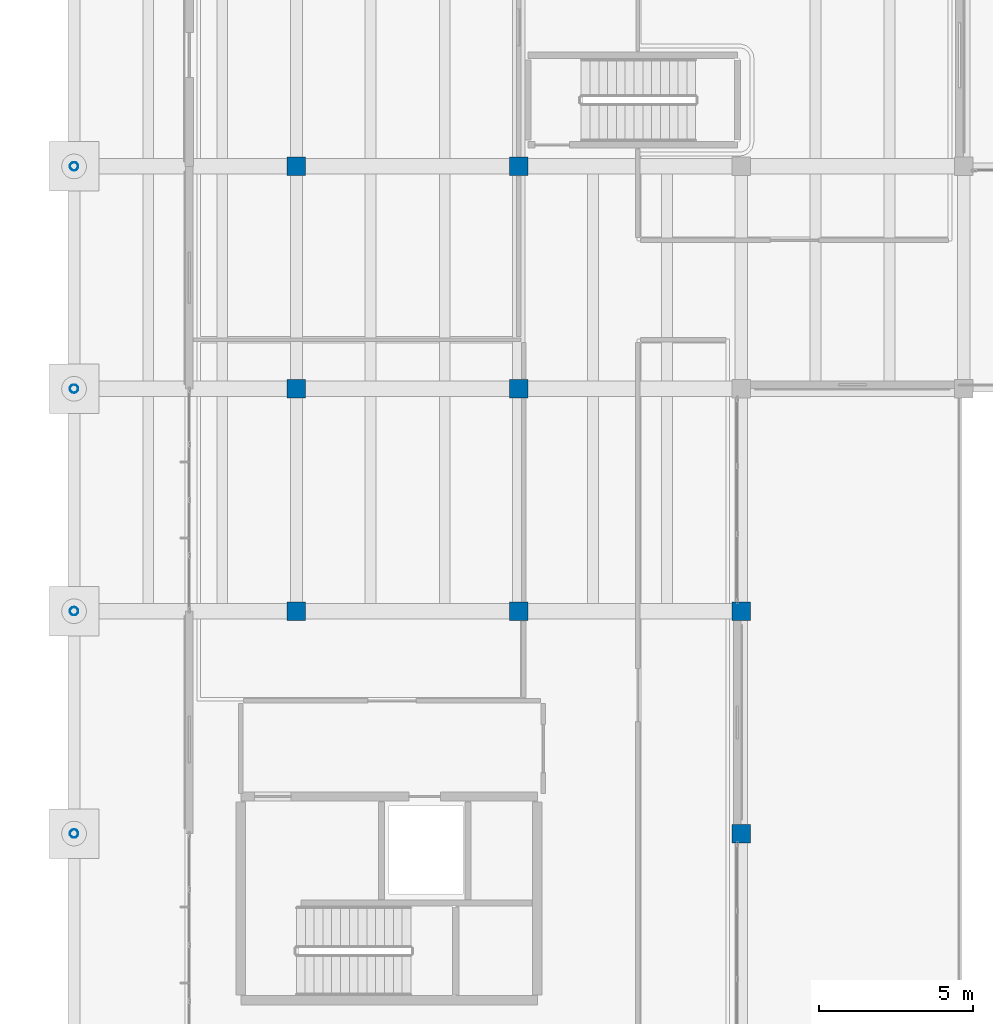
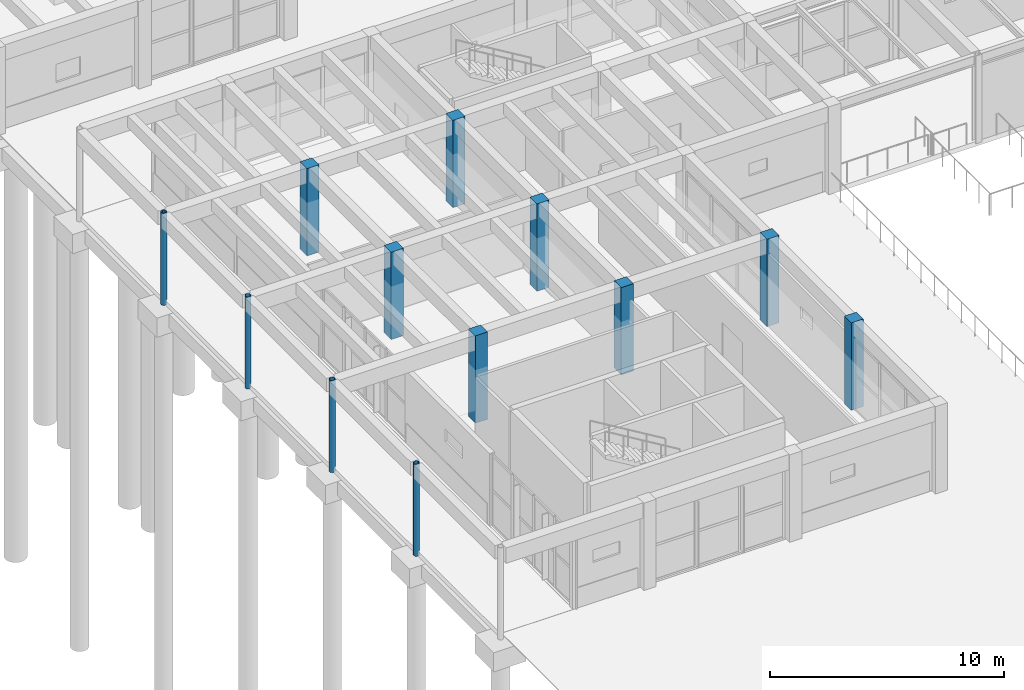
# One storey, part 7 of 155: 12 columns.
"""IFC4 building model written with IfcOpenShell, lengths in metres."""

from ifc_helpers import new_model, si_unit, direction, frame, origin, origin_2d, place, context, subcontext, project, spatial, rectangle, hollow_circle, extrude, material, material_profile, profile_set, type_object, element, save


model = new_model("IFC4")

# Units and contexts
model_context = context("Model", 3, precision=1e-05, world=origin(), true_north=direction((0.0, 1.0)))
body_context = subcontext(model_context, "Body", "Model", "MODEL_VIEW")
ifc_project = project(units=[si_unit("LENGTHUNIT", "METRE"), si_unit("AREAUNIT", "SQUARE_METRE"), si_unit("VOLUMEUNIT", "CUBIC_METRE"), si_unit("PLANEANGLEUNIT", "RADIAN"), si_unit("MASSUNIT", "GRAM", prefix="KILO")], contexts=[model_context])

# Site, building, storey
site_placement = place(None, origin())
site = spatial("IfcSite", under=ifc_project, at=site_placement, CompositionType="ELEMENT")
building_placement = place(site_placement, origin())
building = spatial("IfcBuilding", under=site, at=building_placement, Name="Bramvelor Terrace Health Centre", CompositionType="ELEMENT")
storey_placement = place(building_placement, origin())
storey = spatial("IfcBuildingStorey", under=building, at=storey_placement, Name="L01", CompositionType="ELEMENT", Elevation=0.0)

# Columns
ifc_material_1 = material(Name="Concrete C40/50", Category="concrete")
ifc_material_profile_1 = material_profile(ifc_material_1, rectangle(XDim=0.60009765625, YDim=0.60009765625, at=origin_2d()), Name="RC 600x600")
ifc_profile_set_1 = profile_set([ifc_material_profile_1], Name="Concrete C40/50")
column_type_1 = type_object("IfcColumnType", Name="COL-RC-600", PredefinedType="COLUMN", material=ifc_profile_set_1)
for number, where, z_axis, x_axis, name in (
    (1, (7.199951171875, 43.199951171875, 0.0), (0.0, 0.0, 1.0), (1.0, 0.0, 0.0), "L01 Column (7.2, 43.2)"),
    (2, (7.199951171875, 50.39990234375, 0.0), (0.0, 0.0, 1.0), (1.0, 0.0, 0.0), "L01 Column (7.2, 50.4)"),
    (3, (7.199951171875, 57.60009765625, 0.0), (0.0, 0.0, 1.0), (1.0, 0.0, 0.0), "L01 Column (7.2, 57.6)"),
    (4, (14.39990234375, 43.199951171875, 0.0), (0.0, 0.0, 1.0), (1.0, 0.0, 0.0), "L01 Column (14.4, 43.2)"),
    (5, (14.39990234375, 50.39990234375, 0.0), (0.0, 0.0, 1.0), (1.0, 0.0, 0.0), "L01 Column (14.4, 50.4)"),
    (6, (14.39990234375, 57.60009765625, 0.0), (0.0, 0.0, 1.0), (1.0, 0.0, 0.0), "L01 Column (14.4, 57.6)"),
    (7, (21.60009765625, 36.0, 0.0), (0.0, 0.0, 1.0), (1.0, 0.0, 0.0), "L01 Column (21.6, 36.0)"),
    (8, (21.60009765625, 43.199951171875, 0.0), (0.0, 0.0, 1.0), (1.0, 0.0, 0.0), "L01 Column (21.6, 43.2)"),
):
    element("IfcColumn", number, at=place(storey_placement, frame(where, z_axis=z_axis, x_axis=x_axis)), inside=storey, type_object=column_type_1, Name=name, PredefinedType="COLUMN", context=body_context, shape_type="SweptSolid", body=[
        extrude(rectangle(XDim=0.60009765625, YDim=0.60009765625, at=origin_2d()), origin(), (0.0, 0.0, 1.0), 4.56005859375),
    ])
ifc_material_2 = material(Name="Steel S355J2", Category="steel")
ifc_material_profile_2 = material_profile(ifc_material_2, hollow_circle(Radius=0.136474609375, WallThickness=0.010009765625, at=origin_2d()), Name="CHS 273.0x10.0")
ifc_profile_set_2 = profile_set([ifc_material_profile_2], Name="Steel S355J2")
column_type_2 = type_object("IfcColumnType", Name="COL-STL-CHS273-EXT", PredefinedType="COLUMN", material=ifc_profile_set_2)
for number, where, z_axis, x_axis, name in (
    (9, (0.0, 36.0, -0.25), (0.0, 0.0, 1.0), (1.0, 0.0, 0.0), "L01 Column (0.0, 36.0)"),
    (10, (0.0, 43.199951171875, -0.25), (0.0, 0.0, 1.0), (1.0, 0.0, 0.0), "L01 Column (0.0, 43.2)"),
    (11, (0.0, 50.39990234375, -0.25), (0.0, 0.0, 1.0), (1.0, 0.0, 0.0), "L01 Column (0.0, 50.4)"),
    (12, (0.0, 57.60009765625, -0.25), (0.0, 0.0, 1.0), (1.0, 0.0, 0.0), "L01 Column (0.0, 57.6)"),
):
    element("IfcColumn", number, at=place(storey_placement, frame(where, z_axis=z_axis, x_axis=x_axis)), inside=storey, type_object=column_type_2, Name=name, PredefinedType="COLUMN", context=body_context, shape_type="SweptSolid", body=[
        extrude(hollow_circle(Radius=0.136474609375, WallThickness=0.010009765625, at=origin_2d()), origin(), (0.0, 0.0, 1.0), 4.81005859375),
    ])

save(model, "model.ifc")
